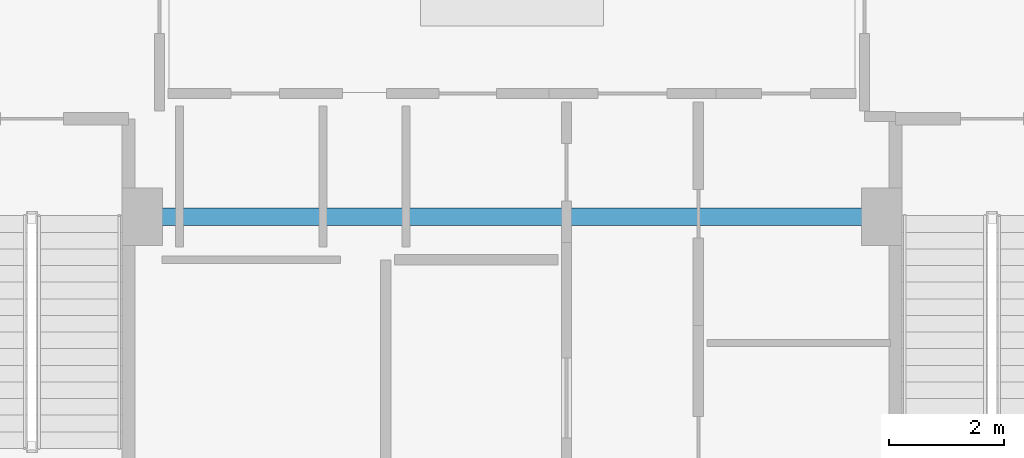
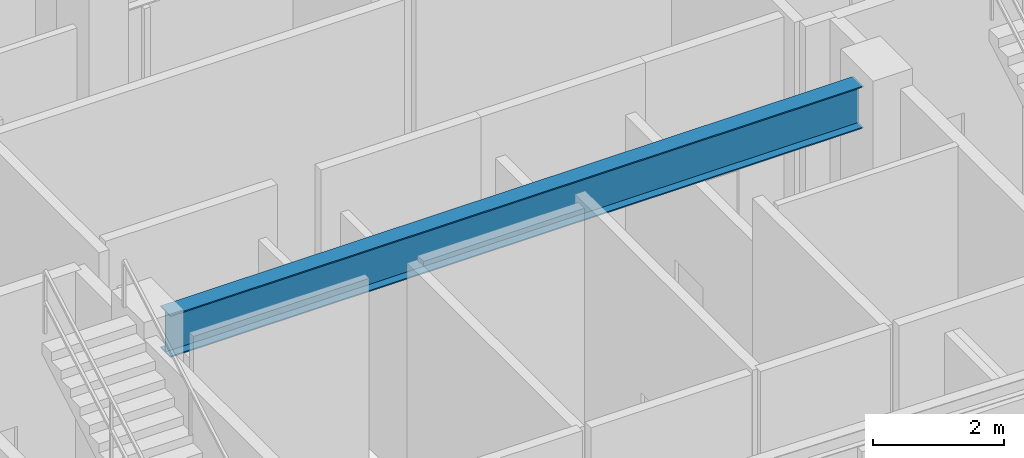
# One storey, part 6 of 24: 1 beam.
"""IFC4 building model written with IfcOpenShell, lengths in metres."""

from ifc_helpers import new_model, si_unit, direction, frame, origin, origin_2d, place, context, subcontext, project, spatial, i_section, extrude, material, material_profile, profile_set, type_object, element, save


model = new_model("IFC4")

# Units and contexts
model_context = context("Model", 3, precision=1e-05, world=origin(), true_north=direction((0.0, 1.0)))
body_context = subcontext(model_context, "Body", "Model", "MODEL_VIEW")
ifc_project = project(units=[si_unit("LENGTHUNIT", "METRE"), si_unit("AREAUNIT", "SQUARE_METRE"), si_unit("VOLUMEUNIT", "CUBIC_METRE"), si_unit("PLANEANGLEUNIT", "RADIAN"), si_unit("MASSUNIT", "GRAM", prefix="KILO")], contexts=[model_context])

# Site, building, storey
site_placement = place(None, origin())
site = spatial("IfcSite", under=ifc_project, at=site_placement, CompositionType="ELEMENT")
building_placement = place(site_placement, origin())
building = spatial("IfcBuilding", under=site, at=building_placement, Name="Vorneva Point Tower", CompositionType="ELEMENT")
storey_placement = place(building_placement, frame((0.0, 0.0, 285.39990234375)))
storey = spatial("IfcBuildingStorey", under=building, at=storey_placement, Name="L77", CompositionType="ELEMENT", Elevation=285.39990234375)

# Beam
ifc_material = material(Name="Steel S355", Category="steel")
ifc_material_profile = material_profile(ifc_material, i_section(OverallWidth=0.300048828125, OverallDepth=0.7880859375, WebThickness=0.014404296875, FlangeThickness=0.02197265625, at=origin_2d()), Name="80Sh1")
ifc_profile_set = profile_set([ifc_material_profile], Name="Steel S355")
beam_type = type_object("IfcBeamType", Name="BM-GRD-80Sh1", PredefinedType="USERDEFINED", material=ifc_profile_set)
beam_placement = place(storey_placement, frame((31.8701171875, 22.199951171875, 4.296142578125), z_axis=(1.0, 0.0, 0.0), x_axis=(0.0, 1.0, 0.0)))
element("IfcBeam", 1, at=beam_placement, inside=storey, type_object=beam_type, Name="L77 Core Tie Girder CT7", ObjectType="GIRDER", PredefinedType="USERDEFINED", context=body_context, shape_type="SweptSolid", body=[
    extrude(i_section(OverallWidth=0.300048828125, OverallDepth=0.7880859375, WebThickness=0.014404296875, FlangeThickness=0.02197265625, at=origin_2d()), origin(), (0.0, 0.0, 1.0), 12.259765625),
])

save(model, "model.ifc")
